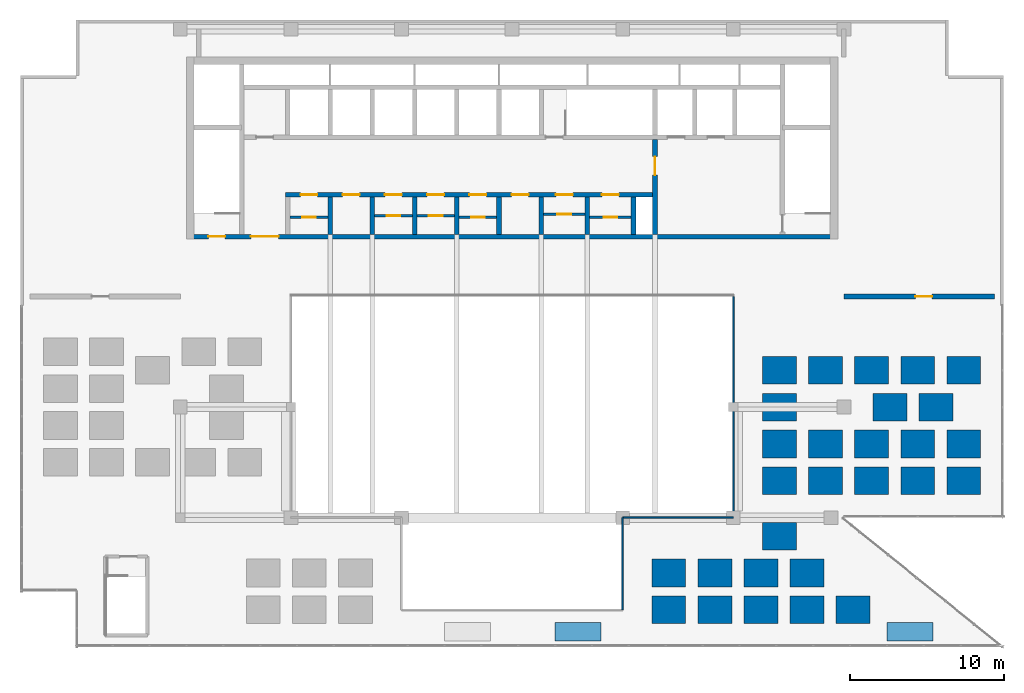
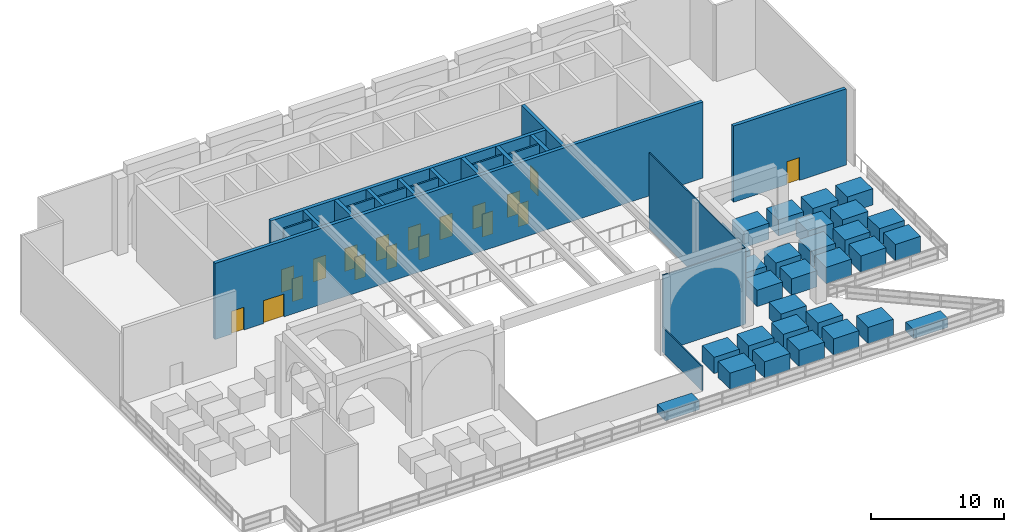
# One storey, part 13 of 17: 51 walls, 18 doors, 18 openings.
"""IFC4 building model written with IfcOpenShell, lengths in metres."""

from ifc_helpers import new_model, si_unit, direction, frame, frame_2d, origin, place, context, subcontext, project, spatial, rectangle, extrude, material, layer, layer_set, type_object, element, fill, save


model = new_model("IFC4")

# Units and contexts
model_context = context("Model", 3, precision=1e-05, world=origin(), true_north=direction((0.0, 1.0)))
body_context = subcontext(model_context, "Body", "Model", "MODEL_VIEW")
ifc_project = project(units=[si_unit("LENGTHUNIT", "METRE"), si_unit("AREAUNIT", "SQUARE_METRE"), si_unit("VOLUMEUNIT", "CUBIC_METRE"), si_unit("PLANEANGLEUNIT", "RADIAN"), si_unit("MASSUNIT", "GRAM", prefix="KILO")], contexts=[model_context])

# Site, building, storey
site_placement = place(None, origin())
site = spatial("IfcSite", under=ifc_project, at=site_placement, CompositionType="ELEMENT")
building_placement = place(site_placement, origin())
building = spatial("IfcBuilding", under=site, at=building_placement, Name="Saffron Iwan Residences", CompositionType="ELEMENT")
storey_placement = place(building_placement, frame((0.0, 0.0, 274.5)))
storey = spatial("IfcBuildingStorey", under=building, at=storey_placement, Name="L74", CompositionType="ELEMENT", Elevation=274.5)

# Wall, opening, door
ifc_material_1 = material(Name="Fire-rated plasterboard partition")
ifc_layer_1 = layer(ifc_material_1, 0.14990234375)
ifc_layer_set_1 = layer_set([ifc_layer_1], Name="Fire-rated plasterboard partition")
wall_type_1 = type_object("IfcWallType", Name="Core partition 150", PredefinedType="PARTITIONING", material=ifc_layer_set_1)
wall_1_placement = place(storey_placement, frame((35.949951171875, 67.5654296875, 0.0), z_axis=(0.0, 0.0, 1.0), x_axis=(1.0, 0.0, 0.0)))
wall_1 = element("IfcWall", 1, at=wall_1_placement, inside=storey, type_object=wall_type_1, Name="Core partition P01", PredefinedType="PARTITIONING", context=body_context, shape_type="SweptSolid", body=[
    extrude(rectangle(XDim=2.449951171875, YDim=0.14990234375, at=frame_2d((1.22509765625, 0.0))), origin(), (0.0, 0.0, 1.0), 7.0),
])
opening_1_placement = place(wall_1_placement, frame((0.77490234375, 0.0, 0.0)))
opening_1 = element("IfcOpeningElement", 2, at=opening_1_placement, cuts=wall_1, Name="Opening SB", PredefinedType="OPENING", context=body_context, shape_type="SweptSolid", body=[
    extrude(rectangle(XDim=0.89990234375, YDim=2.10009765625, at=frame_2d((0.449951171875, 1.050048828125))), frame((0.0, 0.0849609375, 0.0), z_axis=(0.0, -1.0, 0.0), x_axis=(1.0, 0.0, 0.0)), (0.0, 0.0, 1.0), 0.169921875),
])
ifc_material_2 = material(Name="Steel fire door", Category="steel")
door_type_1 = type_object("IfcDoorType", Name="Store door 900", OperationType="NOTDEFINED", PredefinedType="DOOR", material=ifc_material_2)
door_1_placement = place(opening_1_placement, origin())
door_1 = element("IfcDoor", 3, at=door_1_placement, inside=storey, type_object=door_type_1, Name="Door Records store", OperationType="SINGLE_SWING_RIGHT", OverallHeight=2.10009765625, OverallWidth=0.89990234375, PredefinedType="DOOR", context=body_context, shape_type="SweptSolid", body=[
    extrude(rectangle(XDim=0.89990234375, YDim=2.10009765625, at=frame_2d((0.449951171875, 1.050048828125))), frame((0.0, 0.02490234375, 0.0), z_axis=(0.0, -1.0, 0.0), x_axis=(1.0, 0.0, 0.0)), (0.0, 0.0, 1.0), 0.050048828125),
])
fill(opening_1, door_1)

wall_2_placement = place(storey_placement, frame((41.449951171875, 67.66259765625, 0.0), z_axis=(0.0, 0.0, 1.0), x_axis=(1.0, 0.0, 0.0)))
wall_2 = element("IfcWall", 4, at=wall_2_placement, inside=storey, type_object=wall_type_1, Name="Core partition P02", PredefinedType="PARTITIONING", context=body_context, shape_type="SweptSolid", body=[
    extrude(rectangle(XDim=2.449951171875, YDim=0.14990234375, at=frame_2d((1.22509765625, 0.0))), origin(), (0.0, 0.0, 1.0), 7.0),
])
opening_2_placement = place(wall_2_placement, frame((0.77490234375, 0.0, 0.0)))
opening_2 = element("IfcOpeningElement", 5, at=opening_2_placement, cuts=wall_2, Name="Opening SB", PredefinedType="OPENING", context=body_context, shape_type="SweptSolid", body=[
    extrude(rectangle(XDim=0.89990234375, YDim=2.10009765625, at=frame_2d((0.449951171875, 1.050048828125))), frame((0.0, 0.0849609375, 0.0), z_axis=(0.0, -1.0, 0.0), x_axis=(1.0, 0.0, 0.0)), (0.0, 0.0, 1.0), 0.169921875),
])
door_2_placement = place(opening_2_placement, origin())
door_2 = element("IfcDoor", 6, at=door_2_placement, inside=storey, type_object=door_type_1, Name="Door Tool store", OperationType="SINGLE_SWING_RIGHT", OverallHeight=2.10009765625, OverallWidth=0.89990234375, PredefinedType="DOOR", context=body_context, shape_type="SweptSolid", body=[
    extrude(rectangle(XDim=0.89990234375, YDim=2.10009765625, at=frame_2d((0.449951171875, 1.050048828125))), frame((0.0, 0.02490234375, 0.0), z_axis=(0.0, -1.0, 0.0), x_axis=(1.0, 0.0, 0.0)), (0.0, 0.0, 1.0), 0.050048828125),
])
fill(opening_2, door_2)

wall_3_placement = place(storey_placement, frame((44.199951171875, 67.66259765625, 0.0), z_axis=(0.0, 0.0, 1.0), x_axis=(1.0, 0.0, 0.0)))
wall_3 = element("IfcWall", 7, at=wall_3_placement, inside=storey, type_object=wall_type_1, Name="Core partition P03", PredefinedType="PARTITIONING", context=body_context, shape_type="SweptSolid", body=[
    extrude(rectangle(XDim=2.449951171875, YDim=0.14990234375, at=frame_2d((1.22509765625, 0.0))), origin(), (0.0, 0.0, 1.0), 7.0),
])
opening_3_placement = place(wall_3_placement, frame((0.77490234375, 0.0, 0.0)))
opening_3 = element("IfcOpeningElement", 8, at=opening_3_placement, cuts=wall_3, Name="Opening SB", PredefinedType="OPENING", context=body_context, shape_type="SweptSolid", body=[
    extrude(rectangle(XDim=0.89990234375, YDim=2.10009765625, at=frame_2d((0.449951171875, 1.050048828125))), frame((0.0, 0.0849609375, 0.0), z_axis=(0.0, -1.0, 0.0), x_axis=(1.0, 0.0, 0.0)), (0.0, 0.0, 1.0), 0.169921875),
])
door_3_placement = place(opening_3_placement, origin())
door_3 = element("IfcDoor", 9, at=door_3_placement, inside=storey, type_object=door_type_1, Name="Door Cabling room", OperationType="SINGLE_SWING_LEFT", OverallHeight=2.10009765625, OverallWidth=0.89990234375, PredefinedType="DOOR", context=body_context, shape_type="SweptSolid", body=[
    extrude(rectangle(XDim=0.89990234375, YDim=2.10009765625, at=frame_2d((0.449951171875, 1.050048828125))), frame((0.0, 0.02490234375, 0.0), z_axis=(0.0, -1.0, 0.0), x_axis=(1.0, 0.0, 0.0)), (0.0, 0.0, 1.0), 0.050048828125),
])
fill(opening_3, door_3)

wall_4_placement = place(storey_placement, frame((46.949951171875, 67.5654296875, 0.0), z_axis=(0.0, 0.0, 1.0), x_axis=(1.0, 0.0, 0.0)))
wall_4 = element("IfcWall", 10, at=wall_4_placement, inside=storey, type_object=wall_type_1, Name="Core partition P04", PredefinedType="PARTITIONING", context=body_context, shape_type="SweptSolid", body=[
    extrude(rectangle(XDim=2.449951171875, YDim=0.14990234375, at=frame_2d((1.22509765625, 0.0))), origin(), (0.0, 0.0, 1.0), 7.0),
])
opening_4_placement = place(wall_4_placement, frame((0.77490234375, 0.0, 0.0)))
opening_4 = element("IfcOpeningElement", 11, at=opening_4_placement, cuts=wall_4, Name="Opening SB", PredefinedType="OPENING", context=body_context, shape_type="SweptSolid", body=[
    extrude(rectangle(XDim=0.89990234375, YDim=2.10009765625, at=frame_2d((0.449951171875, 1.050048828125))), frame((0.0, 0.0849609375, 0.0), z_axis=(0.0, -1.0, 0.0), x_axis=(1.0, 0.0, 0.0)), (0.0, 0.0, 1.0), 0.169921875),
])
door_4_placement = place(opening_4_placement, origin())
door_4 = element("IfcDoor", 12, at=door_4_placement, inside=storey, type_object=door_type_1, Name="Door Equipment store", OperationType="SINGLE_SWING_RIGHT", OverallHeight=2.10009765625, OverallWidth=0.89990234375, PredefinedType="DOOR", context=body_context, shape_type="SweptSolid", body=[
    extrude(rectangle(XDim=0.89990234375, YDim=2.10009765625, at=frame_2d((0.449951171875, 1.050048828125))), frame((0.0, 0.02490234375, 0.0), z_axis=(0.0, -1.0, 0.0), x_axis=(1.0, 0.0, 0.0)), (0.0, 0.0, 1.0), 0.050048828125),
])
fill(opening_4, door_4)

wall_5_placement = place(storey_placement, frame((52.449951171875, 67.759521484375, 0.0), z_axis=(0.0, 0.0, 1.0), x_axis=(1.0, 0.0, 0.0)))
wall_5 = element("IfcWall", 13, at=wall_5_placement, inside=storey, type_object=wall_type_1, Name="Core partition P05", PredefinedType="PARTITIONING", context=body_context, shape_type="SweptSolid", body=[
    extrude(rectangle(XDim=2.699951171875, YDim=0.14990234375, at=frame_2d((1.35009765625, 0.0))), origin(), (0.0, 0.0, 1.0), 7.0),
])
opening_5_placement = place(wall_5_placement, frame((0.89990234375, 0.0, 0.0)))
opening_5 = element("IfcOpeningElement", 14, at=opening_5_placement, cuts=wall_5, Name="Opening SB", PredefinedType="OPENING", context=body_context, shape_type="SweptSolid", body=[
    extrude(rectangle(XDim=0.89990234375, YDim=2.10009765625, at=frame_2d((0.449951171875, 1.050048828125))), frame((0.0, 0.0849609375, 0.0), z_axis=(0.0, -1.0, 0.0), x_axis=(1.0, 0.0, 0.0)), (0.0, 0.0, 1.0), 0.169921875),
])
door_5_placement = place(opening_5_placement, origin())
door_5 = element("IfcDoor", 15, at=door_5_placement, inside=storey, type_object=door_type_1, Name="Door Stationery store", OperationType="SINGLE_SWING_LEFT", OverallHeight=2.10009765625, OverallWidth=0.89990234375, PredefinedType="DOOR", context=body_context, shape_type="SweptSolid", body=[
    extrude(rectangle(XDim=0.89990234375, YDim=2.10009765625, at=frame_2d((0.449951171875, 1.050048828125))), frame((0.0, 0.02490234375, 0.0), z_axis=(0.0, -1.0, 0.0), x_axis=(1.0, 0.0, 0.0)), (0.0, 0.0, 1.0), 0.050048828125),
])
fill(opening_5, door_5)

wall_6_placement = place(storey_placement, frame((55.449951171875, 67.5654296875, 0.0), z_axis=(0.0, 0.0, 1.0), x_axis=(1.0, 0.0, 0.0)))
wall_6 = element("IfcWall", 16, at=wall_6_placement, inside=storey, type_object=wall_type_1, Name="Core partition P06", PredefinedType="PARTITIONING", context=body_context, shape_type="SweptSolid", body=[
    extrude(rectangle(XDim=2.699951171875, YDim=0.14990234375, at=frame_2d((1.35009765625, 0.0))), origin(), (0.0, 0.0, 1.0), 7.0),
])
opening_6_placement = place(wall_6_placement, frame((0.89990234375, 0.0, 0.0)))
opening_6 = element("IfcOpeningElement", 17, at=opening_6_placement, cuts=wall_6, Name="Opening SB", PredefinedType="OPENING", context=body_context, shape_type="SweptSolid", body=[
    extrude(rectangle(XDim=0.89990234375, YDim=2.10009765625, at=frame_2d((0.449951171875, 1.050048828125))), frame((0.0, 0.0849609375, 0.0), z_axis=(0.0, -1.0, 0.0), x_axis=(1.0, 0.0, 0.0)), (0.0, 0.0, 1.0), 0.169921875),
])
door_6_placement = place(opening_6_placement, origin())
door_6 = element("IfcDoor", 18, at=door_6_placement, inside=storey, type_object=door_type_1, Name="Door Tool store", OperationType="SINGLE_SWING_RIGHT", OverallHeight=2.10009765625, OverallWidth=0.89990234375, PredefinedType="DOOR", context=body_context, shape_type="SweptSolid", body=[
    extrude(rectangle(XDim=0.89990234375, YDim=2.10009765625, at=frame_2d((0.449951171875, 1.050048828125))), frame((0.0, 0.02490234375, 0.0), z_axis=(0.0, -1.0, 0.0), x_axis=(1.0, 0.0, 0.0)), (0.0, 0.0, 1.0), 0.050048828125),
])
fill(opening_6, door_6)

# Walls
ifc_material_3 = material(Name="Concrete C35/45", Category="concrete")
ifc_layer_2 = layer(ifc_material_3, 0.14990234375)
ifc_layer_set_2 = layer_set([ifc_layer_2], Name="Concrete C35/45")
wall_type_2 = type_object("IfcWallType", Name="GARDEN PLANTER", PredefinedType="SOLIDWALL", material=ifc_layer_set_2)
for number, where, z_axis, x_axis, name in (
    (19, (53.199951171875, 40.574951171875, 0.0), (0.0, 0.0, 1.0), (1.0, 0.0, 0.0), "PLANTER roof garden 11.1"),
    (20, (74.800048828125, 40.574951171875, 0.0), (0.0, 0.0, 1.0), (1.0, 0.0, 0.0), "PLANTER roof garden 11.2"),
):
    element("IfcWall", number, at=place(storey_placement, frame(where, z_axis=z_axis, x_axis=x_axis)), inside=storey, type_object=wall_type_2, Name=name, PredefinedType="SOLIDWALL", context=body_context, shape_type="SweptSolid", body=[
        extrude(rectangle(XDim=3.0, YDim=1.199951171875, at=frame_2d((1.5, 0.0))), origin(), (0.0, 0.0, 1.0), 0.800048828125),
    ])
ifc_material_4 = material(Name="Glass", Category="glass")
ifc_layer_3 = layer(ifc_material_4, 0.10009765625)
ifc_layer_set_3 = layer_set([ifc_layer_3], Name="Glass")
wall_type_3 = type_object("IfcWallType", Name="Glazed screen wall 100", PredefinedType="PARTITIONING", material=ifc_layer_set_3)
wall_7_placement = place(storey_placement, frame((57.60009765625, 48.0, 0.0), z_axis=(0.0, 0.0, 1.0), x_axis=(1.0, 0.0, 0.0)))
element("IfcWall", 21, at=wall_7_placement, inside=storey, type_object=wall_type_3, Name="W-L74-005", PredefinedType="PARTITIONING", context=body_context, shape_type="SweptSolid", body=[
    extrude(rectangle(XDim=7.199951171875, YDim=0.10009765625, at=frame_2d((3.60009765625, 0.0))), origin(), (0.0, 0.0, 1.0), 7.0),
])
wall_8_placement = place(storey_placement, frame((57.60009765625, 42.0, 0.0), z_axis=(0.0, 0.0, 1.0), x_axis=(0.0, 1.0, 0.0)))
element("IfcWall", 22, at=wall_8_placement, inside=storey, type_object=wall_type_3, Name="W-L74-013", PredefinedType="PARTITIONING", context=body_context, shape_type="SweptSolid", body=[
    extrude(rectangle(XDim=6.0, YDim=0.10009765625, at=frame_2d((3.0, 0.0))), origin(), (0.0, 0.0, 1.0), 2.280029296875),
])
wall_9_placement = place(storey_placement, frame((64.800048828125, 48.0, 0.0), z_axis=(0.0, 0.0, 1.0), x_axis=(0.0, 1.0, 0.0)))
element("IfcWall", 23, at=wall_9_placement, inside=storey, type_object=wall_type_3, Name="W-L74-014", PredefinedType="PARTITIONING", context=body_context, shape_type="SweptSolid", body=[
    extrude(rectangle(XDim=14.39990234375, YDim=0.10009765625, at=frame_2d((7.199951171875, 0.0))), origin(), (0.0, 0.0, 1.0), 7.0),
])

# Wall, opening, door
ifc_material_5 = material(Name="Precast concrete C40/50", Category="concrete")
ifc_layer_4 = layer(ifc_material_5, 0.300048828125)
ifc_layer_set_4 = layer_set([ifc_layer_4], Name="Precast concrete C40/50")
wall_type_4 = type_object("IfcWallType", Name="Podium external wall 300", PredefinedType="SOLIDWALL", material=ifc_layer_set_4)
wall_10_placement = place(storey_placement, frame((72.0, 62.39990234375, 0.0), z_axis=(0.0, 0.0, 1.0), x_axis=(1.0, 0.0, 0.0)))
wall_10 = element("IfcWall", 24, at=wall_10_placement, inside=storey, type_object=wall_type_4, Name="W-L74-007", PredefinedType="SOLIDWALL", context=body_context, shape_type="SweptSolid", body=[
    extrude(rectangle(XDim=9.800048828125, YDim=0.300048828125, at=frame_2d((4.89990234375, 0.0))), origin(), (0.0, 0.0, 1.0), 7.0),
])
opening_7_placement = place(wall_10_placement, frame((4.64990234375, 0.0, 0.0)))
opening_7 = element("IfcOpeningElement", 25, at=opening_7_placement, cuts=wall_10, Name="Opening L74.02", PredefinedType="OPENING", context=body_context, shape_type="SweptSolid", body=[
    extrude(rectangle(XDim=1.10009765625, YDim=2.10009765625, at=frame_2d((0.550048828125, 1.050048828125))), frame((0.0, 0.16015625, 0.0), z_axis=(0.0, -1.0, 0.0), x_axis=(1.0, 0.0, 0.0)), (0.0, 0.0, 1.0), 0.320068359375),
])
ifc_material_6 = material(Name="Timber", Category="wood")
door_type_2 = type_object("IfcDoorType", Name="Door 1100x2100", OperationType="NOTDEFINED", PredefinedType="DOOR", material=ifc_material_6)
door_7_placement = place(opening_7_placement, origin())
door_7 = element("IfcDoor", 26, at=door_7_placement, inside=storey, type_object=door_type_2, Name="D-L74-002", OperationType="SINGLE_SWING_RIGHT", OverallHeight=2.10009765625, OverallWidth=1.10009765625, PredefinedType="DOOR", context=body_context, shape_type="SweptSolid", body=[
    extrude(rectangle(XDim=1.10009765625, YDim=2.10009765625, at=frame_2d((0.550048828125, 1.050048828125))), frame((0.0, 0.02490234375, 0.0), z_axis=(0.0, -1.0, 0.0), x_axis=(1.0, 0.0, 0.0)), (0.0, 0.0, 1.0), 0.050048828125),
])
fill(opening_7, door_7)

# Walls
ifc_material_7 = material(Name="Concrete C40/50", Category="concrete")
ifc_layer_5 = layer(ifc_material_7, 1.800048828125)
ifc_layer_set_5 = layer_set([ifc_layer_5], Name="Concrete C40/50")
wall_type_5 = type_object("IfcWallType", Name="SKY GARDEN PLANTER 1800", PredefinedType="STANDARD", material=ifc_layer_set_5)
for number, where, z_axis, x_axis, name in (
    (27, (59.5, 42.0, 0.0), (0.0, 0.0, 1.0), (1.0, 0.0, 0.0), "PLANTER sky garden 4"),
    (28, (62.5, 42.0, 0.0), (0.0, 0.0, 1.0), (1.0, 0.0, 0.0), "PLANTER sky garden 5"),
    (29, (65.5, 42.0, 0.0), (0.0, 0.0, 1.0), (1.0, 0.0, 0.0), "PLANTER sky garden 6"),
    (30, (68.5, 42.0, 0.0), (0.0, 0.0, 1.0), (1.0, 0.0, 0.0), "PLANTER sky garden 7"),
    (31, (71.5, 42.0, 0.0), (0.0, 0.0, 1.0), (1.0, 0.0, 0.0), "PLANTER sky garden 8"),
    (32, (59.5, 44.39990234375, 0.0), (0.0, 0.0, 1.0), (1.0, 0.0, 0.0), "PLANTER sky garden 12"),
    (33, (62.5, 44.39990234375, 0.0), (0.0, 0.0, 1.0), (1.0, 0.0, 0.0), "PLANTER sky garden 13"),
    (34, (65.5, 44.39990234375, 0.0), (0.0, 0.0, 1.0), (1.0, 0.0, 0.0), "PLANTER sky garden 14"),
    (35, (68.5, 44.39990234375, 0.0), (0.0, 0.0, 1.0), (1.0, 0.0, 0.0), "PLANTER sky garden 15"),
    (36, (66.699951171875, 46.800048828125, 0.0), (0.0, 0.0, 1.0), (1.0, 0.0, 0.0), "PLANTER sky garden 16"),
    (37, (66.699951171875, 50.39990234375, 0.0), (0.0, 0.0, 1.0), (1.0, 0.0, 0.0), "PLANTER sky garden 17"),
    (38, (69.699951171875, 50.39990234375, 0.0), (0.0, 0.0, 1.0), (1.0, 0.0, 0.0), "PLANTER sky garden 18"),
    (39, (72.699951171875, 50.39990234375, 0.0), (0.0, 0.0, 1.0), (1.0, 0.0, 0.0), "PLANTER sky garden 19"),
    (40, (75.699951171875, 50.39990234375, 0.0), (0.0, 0.0, 1.0), (1.0, 0.0, 0.0), "PLANTER sky garden 20"),
    (41, (78.699951171875, 50.39990234375, 0.0), (0.0, 0.0, 1.0), (1.0, 0.0, 0.0), "PLANTER sky garden 21"),
    (42, (66.699951171875, 52.800048828125, 0.0), (0.0, 0.0, 1.0), (1.0, 0.0, 0.0), "PLANTER sky garden 27"),
    (43, (69.699951171875, 52.800048828125, 0.0), (0.0, 0.0, 1.0), (1.0, 0.0, 0.0), "PLANTER sky garden 28"),
    (44, (72.699951171875, 52.800048828125, 0.0), (0.0, 0.0, 1.0), (1.0, 0.0, 0.0), "PLANTER sky garden 29"),
    (45, (75.699951171875, 52.800048828125, 0.0), (0.0, 0.0, 1.0), (1.0, 0.0, 0.0), "PLANTER sky garden 30"),
    (46, (78.699951171875, 52.800048828125, 0.0), (0.0, 0.0, 1.0), (1.0, 0.0, 0.0), "PLANTER sky garden 31"),
    (47, (66.699951171875, 55.199951171875, 0.0), (0.0, 0.0, 1.0), (1.0, 0.0, 0.0), "PLANTER sky garden 35"),
):
    element("IfcWall", number, at=place(storey_placement, frame(where, z_axis=z_axis, x_axis=x_axis)), inside=storey, type_object=wall_type_5, Name=name, PredefinedType="STANDARD", context=body_context, shape_type="SweptSolid", body=[
        extrude(rectangle(XDim=2.199951171875, YDim=1.800048828125, at=frame_2d((1.10009765625, 0.0))), origin(), (0.0, 0.0, 1.0), 1.5),
    ])
for number, where, z_axis, x_axis, name in (
    (48, (73.89990234375, 55.199951171875, 0.0), (0.0, 0.0, 1.0), (1.0, 0.0, 0.0), "PLANTER sky garden 36"),
    (49, (76.89990234375, 55.199951171875, 0.0), (0.0, 0.0, 1.0), (1.0, 0.0, 0.0), "PLANTER sky garden 37"),
):
    element("IfcWall", number, at=place(storey_placement, frame(where, z_axis=z_axis, x_axis=x_axis)), inside=storey, type_object=wall_type_5, Name=name, PredefinedType="STANDARD", context=body_context, shape_type="SweptSolid", body=[
        extrude(rectangle(XDim=2.2001953125, YDim=1.800048828125, at=frame_2d((1.10009765625, 0.0))), origin(), (0.0, 0.0, 1.0), 1.5),
    ])
for number, where, z_axis, x_axis, name in (
    (50, (66.699951171875, 57.60009765625, 0.0), (0.0, 0.0, 1.0), (1.0, 0.0, 0.0), "PLANTER sky garden 42"),
    (51, (69.699951171875, 57.60009765625, 0.0), (0.0, 0.0, 1.0), (1.0, 0.0, 0.0), "PLANTER sky garden 43"),
    (52, (72.699951171875, 57.60009765625, 0.0), (0.0, 0.0, 1.0), (1.0, 0.0, 0.0), "PLANTER sky garden 44"),
    (53, (75.699951171875, 57.60009765625, 0.0), (0.0, 0.0, 1.0), (1.0, 0.0, 0.0), "PLANTER sky garden 45"),
    (54, (78.699951171875, 57.60009765625, 0.0), (0.0, 0.0, 1.0), (1.0, 0.0, 0.0), "PLANTER sky garden 46"),
):
    element("IfcWall", number, at=place(storey_placement, frame(where, z_axis=z_axis, x_axis=x_axis)), inside=storey, type_object=wall_type_5, Name=name, PredefinedType="STANDARD", context=body_context, shape_type="SweptSolid", body=[
        extrude(rectangle(XDim=2.199951171875, YDim=1.800048828125, at=frame_2d((1.10009765625, 0.0))), origin(), (0.0, 0.0, 1.0), 1.5),
    ])

# Wall, openings, doors
ifc_layer_6 = layer(ifc_material_7, 0.300048828125)
ifc_layer_set_6 = layer_set([ifc_layer_6], Name="Concrete C40/50")
wall_type_6 = type_object("IfcWallType", Name="WALL CORE 300 C40/50 7000 HIGH", PredefinedType="SHEAR", material=ifc_layer_set_6)
wall_11_placement = place(storey_placement, frame((29.199951171875, 66.300048828125, 0.0), z_axis=(0.0, 0.0, 1.0), x_axis=(1.0, 0.0, 0.0)))
wall_11 = element("IfcWall", 55, at=wall_11_placement, inside=storey, type_object=wall_type_6, Name="Core wall", PredefinedType="SHEAR", context=body_context, shape_type="SweptSolid", body=[
    extrude(rectangle(XDim=42.400146484375, YDim=0.300048828125, at=frame_2d((21.2001953125, 0.0))), origin(), (0.0, 0.0, 1.0), 7.0),
])
opening_8_placement = place(wall_11_placement, frame((1.425048828125, 0.0, 0.0)))
opening_8 = element("IfcOpeningElement", 56, at=opening_8_placement, cuts=wall_11, Name="Opening SD", PredefinedType="OPENING", context=body_context, shape_type="SweptSolid", body=[
    extrude(rectangle(XDim=1.10009765625, YDim=2.10009765625, at=frame_2d((0.550048828125, 1.050048828125))), frame((0.0, 0.16015625, 0.0), z_axis=(0.0, -1.0, 0.0), x_axis=(1.0, 0.0, 0.0)), (0.0, 0.0, 1.0), 0.320068359375),
])
opening_9_placement = place(wall_11_placement, frame((4.199951171875, 0.0, 0.0)))
opening_9 = element("IfcOpeningElement", 57, at=opening_9_placement, cuts=wall_11, Name="Opening DD", PredefinedType="OPENING", context=body_context, shape_type="SweptSolid", body=[
    extrude(rectangle(XDim=1.800048828125, YDim=2.10009765625, at=frame_2d((0.89990234375, 1.050048828125))), frame((0.0, 0.16015625, 0.0), z_axis=(0.0, -1.0, 0.0), x_axis=(1.0, 0.0, 0.0)), (0.0, 0.0, 1.0), 0.320068359375),
])
door_type_3 = type_object("IfcDoorType", Name="Lobby double door 1800", OperationType="DOUBLE_DOOR_SINGLE_SWING", PredefinedType="DOOR", material=ifc_material_2)
door_8_placement = place(opening_9_placement, origin())
door_8 = element("IfcDoor", 58, at=door_8_placement, inside=storey, type_object=door_type_3, Name="Lobby doors", OperationType="DOUBLE_DOOR_SINGLE_SWING", OverallHeight=2.10009765625, OverallWidth=1.800048828125, PredefinedType="DOOR", context=body_context, shape_type="SweptSolid", body=[
    extrude(rectangle(XDim=1.800048828125, YDim=2.10009765625, at=frame_2d((0.89990234375, 1.050048828125))), frame((0.0, 0.02490234375, 0.0), z_axis=(0.0, -1.0, 0.0), x_axis=(1.0, 0.0, 0.0)), (0.0, 0.0, 1.0), 0.050048828125),
])
fill(opening_9, door_8)
door_type_4 = type_object("IfcDoorType", Name="Stair door 1100", OperationType="NOTDEFINED", PredefinedType="DOOR", material=ifc_material_2)
door_9_placement = place(opening_8_placement, origin())
door_9 = element("IfcDoor", 59, at=door_9_placement, inside=storey, type_object=door_type_4, Name="Stair door ST-W", OperationType="SINGLE_SWING_LEFT", OverallHeight=2.10009765625, OverallWidth=1.10009765625, PredefinedType="DOOR", context=body_context, shape_type="SweptSolid", body=[
    extrude(rectangle(XDim=1.10009765625, YDim=2.10009765625, at=frame_2d((0.550048828125, 1.050048828125))), frame((0.0, 0.02490234375, 0.0), z_axis=(0.0, -1.0, 0.0), x_axis=(1.0, 0.0, 0.0)), (0.0, 0.0, 1.0), 0.050048828125),
])
fill(opening_8, door_9)

wall_12_placement = place(storey_placement, frame((35.64990234375, 69.02490234375, 0.0), z_axis=(0.0, 0.0, 1.0), x_axis=(1.0, 0.0, 0.0)))
wall_12 = element("IfcWall", 60, at=wall_12_placement, inside=storey, type_object=wall_type_6, Name="Core wall", PredefinedType="SHEAR", context=body_context, shape_type="SweptSolid", body=[
    extrude(rectangle(XDim=24.050048828125, YDim=0.300048828125, at=frame_2d((12.02490234375, 0.0))), origin(), (0.0, 0.0, 1.0), 7.0),
])
opening_10_placement = place(wall_12_placement, frame((0.97509765625, 0.0, 0.0)))
opening_10 = element("IfcOpeningElement", 61, at=opening_10_placement, cuts=wall_12, Name="Opening SR", PredefinedType="OPENING", context=body_context, shape_type="SweptSolid", body=[
    extrude(rectangle(XDim=1.10009765625, YDim=2.10009765625, at=frame_2d((0.550048828125, 1.050048828125))), frame((0.0, 0.16015625, 0.0), z_axis=(0.0, -1.0, 0.0), x_axis=(1.0, 0.0, 0.0)), (0.0, 0.0, 1.0), 0.320068359375),
])
opening_11_placement = place(wall_12_placement, frame((3.72509765625, 0.0, 0.0)))
opening_11 = element("IfcOpeningElement", 62, at=opening_11_placement, cuts=wall_12, Name="Opening SR", PredefinedType="OPENING", context=body_context, shape_type="SweptSolid", body=[
    extrude(rectangle(XDim=1.10009765625, YDim=2.10009765625, at=frame_2d((0.550048828125, 1.050048828125))), frame((0.0, 0.16015625, 0.0), z_axis=(0.0, -1.0, 0.0), x_axis=(1.0, 0.0, 0.0)), (0.0, 0.0, 1.0), 0.320068359375),
])
opening_12_placement = place(wall_12_placement, frame((6.47509765625, 0.0, 0.0)))
opening_12 = element("IfcOpeningElement", 63, at=opening_12_placement, cuts=wall_12, Name="Opening SR", PredefinedType="OPENING", context=body_context, shape_type="SweptSolid", body=[
    extrude(rectangle(XDim=1.10009765625, YDim=2.10009765625, at=frame_2d((0.550048828125, 1.050048828125))), frame((0.0, 0.16015625, 0.0), z_axis=(0.0, -1.0, 0.0), x_axis=(1.0, 0.0, 0.0)), (0.0, 0.0, 1.0), 0.320068359375),
])
opening_13_placement = place(wall_12_placement, frame((9.22509765625, 0.0, 0.0)))
opening_13 = element("IfcOpeningElement", 64, at=opening_13_placement, cuts=wall_12, Name="Opening SR", PredefinedType="OPENING", context=body_context, shape_type="SweptSolid", body=[
    extrude(rectangle(XDim=1.10009765625, YDim=2.10009765625, at=frame_2d((0.550048828125, 1.050048828125))), frame((0.0, 0.16015625, 0.0), z_axis=(0.0, -1.0, 0.0), x_axis=(1.0, 0.0, 0.0)), (0.0, 0.0, 1.0), 0.320068359375),
])
opening_14_placement = place(wall_12_placement, frame((11.97509765625, 0.0, 0.0)))
opening_14 = element("IfcOpeningElement", 65, at=opening_14_placement, cuts=wall_12, Name="Opening SR", PredefinedType="OPENING", context=body_context, shape_type="SweptSolid", body=[
    extrude(rectangle(XDim=1.10009765625, YDim=2.10009765625, at=frame_2d((0.550048828125, 1.050048828125))), frame((0.0, 0.16015625, 0.0), z_axis=(0.0, -1.0, 0.0), x_axis=(1.0, 0.0, 0.0)), (0.0, 0.0, 1.0), 0.320068359375),
])
opening_15_placement = place(wall_12_placement, frame((14.72509765625, 0.0, 0.0)))
opening_15 = element("IfcOpeningElement", 66, at=opening_15_placement, cuts=wall_12, Name="Opening SR", PredefinedType="OPENING", context=body_context, shape_type="SweptSolid", body=[
    extrude(rectangle(XDim=1.10009765625, YDim=2.10009765625, at=frame_2d((0.550048828125, 1.050048828125))), frame((0.0, 0.16015625, 0.0), z_axis=(0.0, -1.0, 0.0), x_axis=(1.0, 0.0, 0.0)), (0.0, 0.0, 1.0), 0.320068359375),
])
opening_16_placement = place(wall_12_placement, frame((17.60009765625, 0.0, 0.0)))
opening_16 = element("IfcOpeningElement", 67, at=opening_16_placement, cuts=wall_12, Name="Opening SR", PredefinedType="OPENING", context=body_context, shape_type="SweptSolid", body=[
    extrude(rectangle(XDim=1.10009765625, YDim=2.10009765625, at=frame_2d((0.550048828125, 1.050048828125))), frame((0.0, 0.16015625, 0.0), z_axis=(0.0, -1.0, 0.0), x_axis=(1.0, 0.0, 0.0)), (0.0, 0.0, 1.0), 0.320068359375),
])
opening_17_placement = place(wall_12_placement, frame((20.60009765625, 0.0, 0.0)))
opening_17 = element("IfcOpeningElement", 68, at=opening_17_placement, cuts=wall_12, Name="Opening SR", PredefinedType="OPENING", context=body_context, shape_type="SweptSolid", body=[
    extrude(rectangle(XDim=1.10009765625, YDim=2.10009765625, at=frame_2d((0.550048828125, 1.050048828125))), frame((0.0, 0.16015625, 0.0), z_axis=(0.0, -1.0, 0.0), x_axis=(1.0, 0.0, 0.0)), (0.0, 0.0, 1.0), 0.320068359375),
])
door_type_5 = type_object("IfcDoorType", Name="Service door 1100", OperationType="NOTDEFINED", PredefinedType="DOOR", material=ifc_material_2)
door_10_placement = place(opening_10_placement, origin())
door_10 = element("IfcDoor", 69, at=door_10_placement, inside=storey, type_object=door_type_5, Name="Door Refuse store", OperationType="SINGLE_SWING_RIGHT", OverallHeight=2.10009765625, OverallWidth=1.10009765625, PredefinedType="DOOR", context=body_context, shape_type="SweptSolid", body=[
    extrude(rectangle(XDim=1.10009765625, YDim=2.10009765625, at=frame_2d((0.550048828125, 1.050048828125))), frame((0.0, 0.02490234375, 0.0), z_axis=(0.0, -1.0, 0.0), x_axis=(1.0, 0.0, 0.0)), (0.0, 0.0, 1.0), 0.050048828125),
])
fill(opening_10, door_10)
door_11_placement = place(opening_11_placement, origin())
door_11 = element("IfcDoor", 70, at=door_11_placement, inside=storey, type_object=door_type_5, Name="Door Maintenance store", OperationType="SINGLE_SWING_LEFT", OverallHeight=2.10009765625, OverallWidth=1.10009765625, PredefinedType="DOOR", context=body_context, shape_type="SweptSolid", body=[
    extrude(rectangle(XDim=1.10009765625, YDim=2.10009765625, at=frame_2d((0.550048828125, 1.050048828125))), frame((0.0, 0.02490234375, 0.0), z_axis=(0.0, -1.0, 0.0), x_axis=(1.0, 0.0, 0.0)), (0.0, 0.0, 1.0), 0.050048828125),
])
fill(opening_11, door_11)
door_12_placement = place(opening_12_placement, origin())
door_12 = element("IfcDoor", 71, at=door_12_placement, inside=storey, type_object=door_type_5, Name="Door Linen store", OperationType="SINGLE_SWING_RIGHT", OverallHeight=2.10009765625, OverallWidth=1.10009765625, PredefinedType="DOOR", context=body_context, shape_type="SweptSolid", body=[
    extrude(rectangle(XDim=1.10009765625, YDim=2.10009765625, at=frame_2d((0.550048828125, 1.050048828125))), frame((0.0, 0.02490234375, 0.0), z_axis=(0.0, -1.0, 0.0), x_axis=(1.0, 0.0, 0.0)), (0.0, 0.0, 1.0), 0.050048828125),
])
fill(opening_12, door_12)
door_13_placement = place(opening_13_placement, origin())
door_13 = element("IfcDoor", 72, at=door_13_placement, inside=storey, type_object=door_type_5, Name="Door Pantry", OperationType="SINGLE_SWING_LEFT", OverallHeight=2.10009765625, OverallWidth=1.10009765625, PredefinedType="DOOR", context=body_context, shape_type="SweptSolid", body=[
    extrude(rectangle(XDim=1.10009765625, YDim=2.10009765625, at=frame_2d((0.550048828125, 1.050048828125))), frame((0.0, 0.02490234375, 0.0), z_axis=(0.0, -1.0, 0.0), x_axis=(1.0, 0.0, 0.0)), (0.0, 0.0, 1.0), 0.050048828125),
])
fill(opening_13, door_13)
door_14_placement = place(opening_14_placement, origin())
door_14 = element("IfcDoor", 73, at=door_14_placement, inside=storey, type_object=door_type_5, Name="Door Electrical room", OperationType="SINGLE_SWING_RIGHT", OverallHeight=2.10009765625, OverallWidth=1.10009765625, PredefinedType="DOOR", context=body_context, shape_type="SweptSolid", body=[
    extrude(rectangle(XDim=1.10009765625, YDim=2.10009765625, at=frame_2d((0.550048828125, 1.050048828125))), frame((0.0, 0.02490234375, 0.0), z_axis=(0.0, -1.0, 0.0), x_axis=(1.0, 0.0, 0.0)), (0.0, 0.0, 1.0), 0.050048828125),
])
fill(opening_14, door_14)
door_15_placement = place(opening_15_placement, origin())
door_15 = element("IfcDoor", 74, at=door_15_placement, inside=storey, type_object=door_type_5, Name="Door Luggage store", OperationType="SINGLE_SWING_LEFT", OverallHeight=2.10009765625, OverallWidth=1.10009765625, PredefinedType="DOOR", context=body_context, shape_type="SweptSolid", body=[
    extrude(rectangle(XDim=1.10009765625, YDim=2.10009765625, at=frame_2d((0.550048828125, 1.050048828125))), frame((0.0, 0.02490234375, 0.0), z_axis=(0.0, -1.0, 0.0), x_axis=(1.0, 0.0, 0.0)), (0.0, 0.0, 1.0), 0.050048828125),
])
fill(opening_15, door_15)
door_16_placement = place(opening_16_placement, origin())
door_16 = element("IfcDoor", 75, at=door_16_placement, inside=storey, type_object=door_type_5, Name="Door Furniture store", OperationType="SINGLE_SWING_RIGHT", OverallHeight=2.10009765625, OverallWidth=1.10009765625, PredefinedType="DOOR", context=body_context, shape_type="SweptSolid", body=[
    extrude(rectangle(XDim=1.10009765625, YDim=2.10009765625, at=frame_2d((0.550048828125, 1.050048828125))), frame((0.0, 0.02490234375, 0.0), z_axis=(0.0, -1.0, 0.0), x_axis=(1.0, 0.0, 0.0)), (0.0, 0.0, 1.0), 0.050048828125),
])
fill(opening_16, door_16)
door_17_placement = place(opening_17_placement, origin())
door_17 = element("IfcDoor", 76, at=door_17_placement, inside=storey, type_object=door_type_5, Name="Door Housekeeping store", OperationType="SINGLE_SWING_RIGHT", OverallHeight=2.10009765625, OverallWidth=1.10009765625, PredefinedType="DOOR", context=body_context, shape_type="SweptSolid", body=[
    extrude(rectangle(XDim=1.10009765625, YDim=2.10009765625, at=frame_2d((0.550048828125, 1.050048828125))), frame((0.0, 0.02490234375, 0.0), z_axis=(0.0, -1.0, 0.0), x_axis=(1.0, 0.0, 0.0)), (0.0, 0.0, 1.0), 0.050048828125),
])
fill(opening_17, door_17)

# Wall, opening, door
wall_13_placement = place(storey_placement, frame((59.699951171875, 66.449951171875, 0.0), z_axis=(0.0, 0.0, 1.0), x_axis=(0.0, 1.0, 0.0)))
wall_13 = element("IfcWall", 77, at=wall_13_placement, inside=storey, type_object=wall_type_6, Name="Core wall", PredefinedType="SHEAR", context=body_context, shape_type="SweptSolid", body=[
    extrude(rectangle(XDim=6.175048828125, YDim=0.300048828125, at=frame_2d((3.08740234375, 0.0))), origin(), (0.0, 0.0, 1.0), 7.0),
])
opening_18_placement = place(wall_13_placement, frame((3.85009765625, 0.0, 0.0)))
opening_18 = element("IfcOpeningElement", 78, at=opening_18_placement, cuts=wall_13, Name="Opening FD", PredefinedType="OPENING", context=body_context, shape_type="SweptSolid", body=[
    extrude(rectangle(XDim=1.199951171875, YDim=2.10009765625, at=frame_2d((0.60009765625, 1.050048828125))), frame((0.0, 0.16015625, 0.0), z_axis=(0.0, -1.0, 0.0), x_axis=(1.0, 0.0, 0.0)), (0.0, 0.0, 1.0), 0.320068359375),
])
door_type_6 = type_object("IfcDoorType", Name="Firefighting lobby door 1200", OperationType="NOTDEFINED", PredefinedType="DOOR", material=ifc_material_2)
door_18_placement = place(opening_18_placement, origin())
door_18 = element("IfcDoor", 79, at=door_18_placement, inside=storey, type_object=door_type_6, Name="Firefighting lobby door", OperationType="SINGLE_SWING_LEFT", OverallHeight=2.10009765625, OverallWidth=1.199951171875, PredefinedType="DOOR", context=body_context, shape_type="SweptSolid", body=[
    extrude(rectangle(XDim=1.199951171875, YDim=2.10009765625, at=frame_2d((0.60009765625, 1.050048828125))), frame((0.0, 0.02490234375, 0.0), z_axis=(0.0, -1.0, 0.0), x_axis=(1.0, 0.0, 0.0)), (0.0, 0.0, 1.0), 0.050048828125),
])
fill(opening_18, door_18)

# Walls
for number, where, z_axis, x_axis, name in (
    (80, (38.550048828125, 66.449951171875, 0.0), (0.0, 0.0, 1.0), (0.0, 1.0, 0.0), "Core wall"),
    (81, (41.300048828125, 66.449951171875, 0.0), (0.0, 0.0, 1.0), (0.0, 1.0, 0.0), "Core wall"),
    (82, (44.050048828125, 66.449951171875, 0.0), (0.0, 0.0, 1.0), (0.0, 1.0, 0.0), "Core wall"),
    (83, (46.800048828125, 66.449951171875, 0.0), (0.0, 0.0, 1.0), (0.0, 1.0, 0.0), "Core wall"),
    (84, (49.550048828125, 66.449951171875, 0.0), (0.0, 0.0, 1.0), (0.0, 1.0, 0.0), "Core wall"),
    (85, (52.300048828125, 66.449951171875, 0.0), (0.0, 0.0, 1.0), (0.0, 1.0, 0.0), "Core wall"),
    (86, (55.300048828125, 66.449951171875, 0.0), (0.0, 0.0, 1.0), (0.0, 1.0, 0.0), "Core wall"),
    (87, (58.300048828125, 66.449951171875, 0.0), (0.0, 0.0, 1.0), (0.0, 1.0, 0.0), "Core wall"),
):
    element("IfcWall", number, at=place(storey_placement, frame(where, z_axis=z_axis, x_axis=x_axis)), inside=storey, type_object=wall_type_6, Name=name, PredefinedType="SHEAR", context=body_context, shape_type="SweptSolid", body=[
        extrude(rectangle(XDim=2.425048828125, YDim=0.300048828125, at=frame_2d((1.21240234375, 0.0))), origin(), (0.0, 0.0, 1.0), 7.0),
    ])

save(model, "model.ifc")
